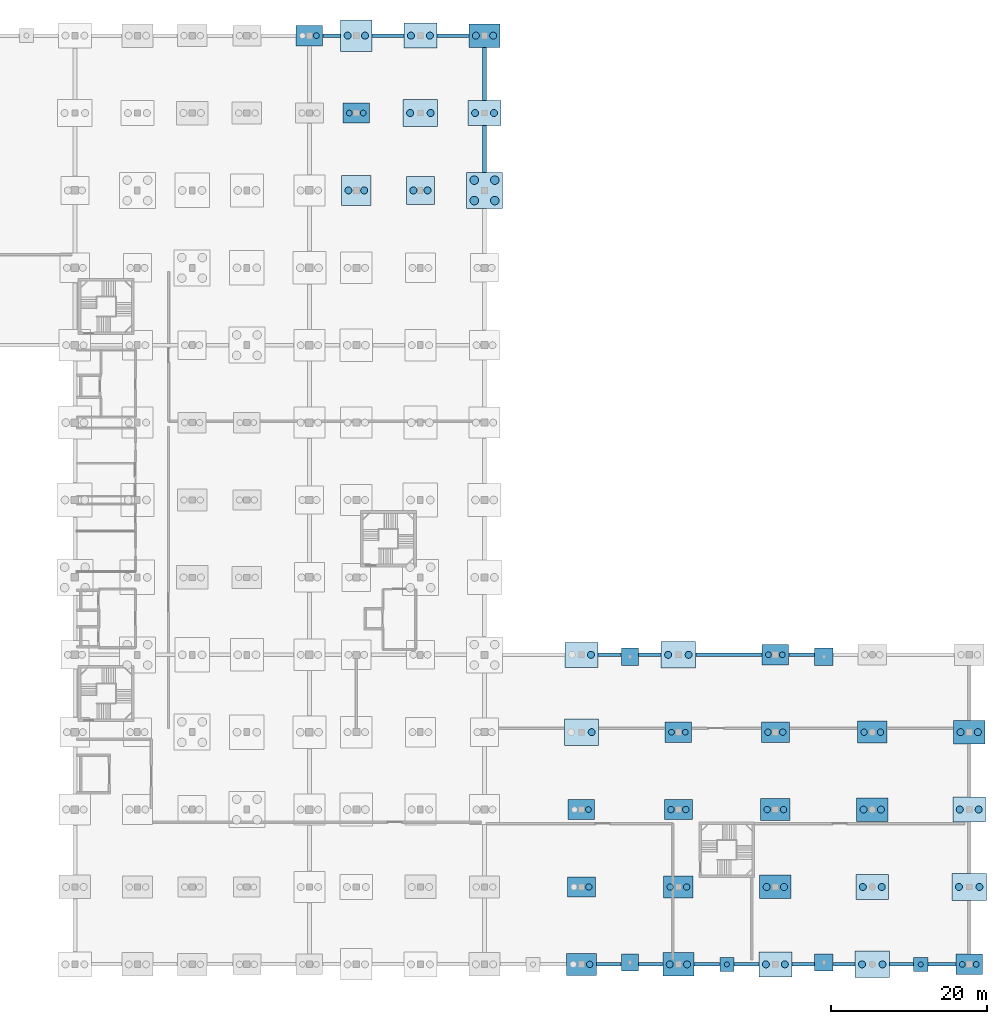
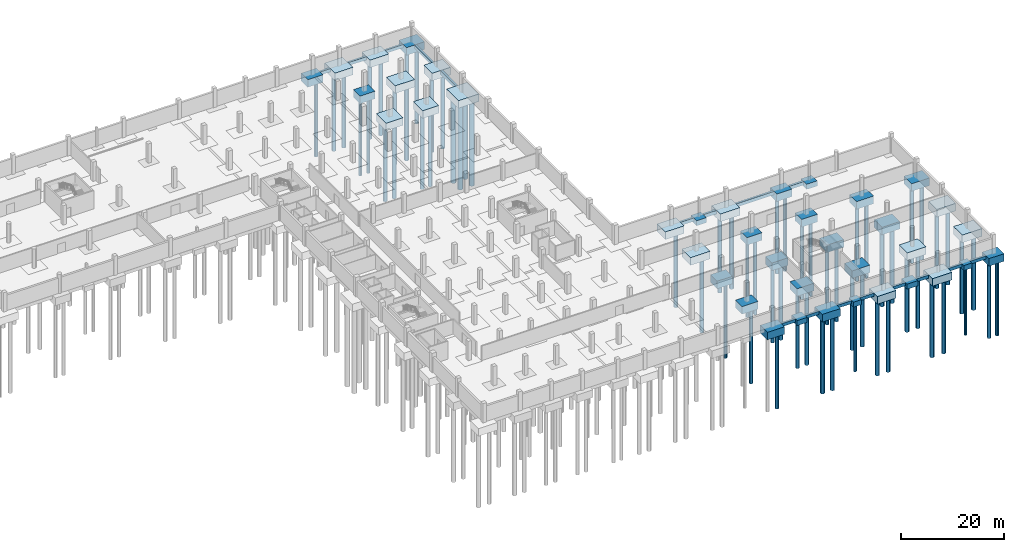
# One storey, part 5 of 30: 64 piles, 56 footings.
"""IFC4 building model written with IfcOpenShell, lengths in metres."""

from ifc_helpers import new_model, si_unit, direction, frame, origin, origin_2d, place, context, subcontext, project, spatial, rectangle, circle, extrude, material, layer, layer_set, material_profile, profile_set, type_object, element, save


model = new_model("IFC4")

# Units and contexts
model_context = context("Model", 3, precision=1e-05, world=origin(), true_north=direction((0.0, 1.0)))
body_context = subcontext(model_context, "Body", "Model", "MODEL_VIEW")
ifc_project = project(units=[si_unit("LENGTHUNIT", "METRE"), si_unit("AREAUNIT", "SQUARE_METRE"), si_unit("VOLUMEUNIT", "CUBIC_METRE"), si_unit("PLANEANGLEUNIT", "RADIAN"), si_unit("MASSUNIT", "GRAM", prefix="KILO")], contexts=[model_context])

# Site, building, storey
site_placement = place(None, origin())
site = spatial("IfcSite", under=ifc_project, at=site_placement, CompositionType="ELEMENT")
building_placement = place(site_placement, origin())
building = spatial("IfcBuilding", under=site, at=building_placement, Name="Sillaruma Civic Art Gallery", CompositionType="ELEMENT")
storey_placement = place(building_placement, frame((0.0, 0.0, -9.179931640625)))
storey = spatial("IfcBuildingStorey", under=building, at=storey_placement, Name="B02", CompositionType="ELEMENT", Elevation=-9.179931640625)

# Footings
ifc_material = material(Name="Concrete H35 (35 MPa)", Category="concrete")
ifc_material_profile_1 = material_profile(ifc_material, rectangle(XDim=0.449951171875, YDim=0.75, at=origin_2d()), Name="RCB450x750")
ifc_profile_set_1 = profile_set([ifc_material_profile_1], Name="Concrete H35 (35 MPa)")
footing_type_1 = type_object("IfcFootingType", Name="FTG-FB-450x750", PredefinedType="FOOTING_BEAM", material=ifc_profile_set_1)
footing_1_placement = place(storey_placement, frame((128.719970703125, 0.0, -0.375), z_axis=(1.0, 0.0, 0.0), x_axis=(0.0, 1.0, 0.0)))
element("IfcFooting", 1, at=footing_1_placement, inside=storey, type_object=footing_type_1, Name="Foundation Tie Beam FB-02 (1:P-Q:A)", PredefinedType="FOOTING_BEAM", context=body_context, shape_type="SweptSolid", body=[
    extrude(rectangle(XDim=0.449951171875, YDim=0.75, at=origin_2d()), origin(), (0.0, 0.0, 1.0), 3.159912109375),
])
footing_2_placement = place(storey_placement, frame((134.1201171875, 0.0, -0.375), z_axis=(1.0, 0.0, 0.0), x_axis=(0.0, 1.0, 0.0)))
element("IfcFooting", 2, at=footing_2_placement, inside=storey, type_object=footing_type_1, Name="Foundation Tie Beam FB-02 (1:P-Q:B)", PredefinedType="FOOTING_BEAM", context=body_context, shape_type="SweptSolid", body=[
    extrude(rectangle(XDim=0.449951171875, YDim=0.75, at=origin_2d()), origin(), (0.0, 0.0, 1.0), 3.059814453125),
])
footing_3_placement = place(storey_placement, frame((141.219970703125, 0.0, -0.375), z_axis=(1.0, 0.0, 0.0), x_axis=(0.0, 1.0, 0.0)))
element("IfcFooting", 3, at=footing_3_placement, inside=storey, type_object=footing_type_1, Name="Foundation Tie Beam FB-02 (1:Q-R:A)", PredefinedType="FOOTING_BEAM", context=body_context, shape_type="SweptSolid", body=[
    extrude(rectangle(XDim=0.449951171875, YDim=0.75, at=origin_2d()), origin(), (0.0, 0.0, 1.0), 3.260009765625),
])
footing_4_placement = place(storey_placement, frame((146.320068359375, 0.0, -0.375), z_axis=(1.0, 0.0, 0.0), x_axis=(0.0, 1.0, 0.0)))
element("IfcFooting", 4, at=footing_4_placement, inside=storey, type_object=footing_type_1, Name="Foundation Tie Beam FB-02 (1:Q-R:B)", PredefinedType="FOOTING_BEAM", context=body_context, shape_type="SweptSolid", body=[
    extrude(rectangle(XDim=0.449951171875, YDim=0.75, at=origin_2d()), origin(), (0.0, 0.0, 1.0), 3.159912109375),
])
footing_5_placement = place(storey_placement, frame((153.719970703125, 0.0, -0.375), z_axis=(1.0, 0.0, 0.0), x_axis=(0.0, 1.0, 0.0)))
element("IfcFooting", 5, at=footing_5_placement, inside=storey, type_object=footing_type_1, Name="Foundation Tie Beam FB-02 (1:R-S:A)", PredefinedType="FOOTING_BEAM", context=body_context, shape_type="SweptSolid", body=[
    extrude(rectangle(XDim=0.449951171875, YDim=0.75, at=origin_2d()), origin(), (0.0, 0.0, 1.0), 2.860107421875),
])
footing_6_placement = place(storey_placement, frame((159.02001953125, 0.0, -0.375), z_axis=(1.0, 0.0, 0.0), x_axis=(0.0, 1.0, 0.0)))
element("IfcFooting", 6, at=footing_6_placement, inside=storey, type_object=footing_type_1, Name="Foundation Tie Beam FB-02 (1:R-S:B)", PredefinedType="FOOTING_BEAM", context=body_context, shape_type="SweptSolid", body=[
    extrude(rectangle(XDim=0.449951171875, YDim=0.75, at=origin_2d()), origin(), (0.0, 0.0, 1.0), 2.760009765625),
])
footing_7_placement = place(storey_placement, frame((166.219970703125, 0.0, -0.375), z_axis=(1.0, 0.0, 0.0), x_axis=(0.0, 1.0, 0.0)))
element("IfcFooting", 7, at=footing_7_placement, inside=storey, type_object=footing_type_1, Name="Foundation Tie Beam FB-02 (1:S-T:A)", PredefinedType="FOOTING_BEAM", context=body_context, shape_type="SweptSolid", body=[
    extrude(rectangle(XDim=0.449951171875, YDim=0.75, at=origin_2d()), origin(), (0.0, 0.0, 1.0), 3.06005859375),
])
footing_8_placement = place(storey_placement, frame((171.1201171875, 0.0, -0.375), z_axis=(1.0, 0.0, 0.0), x_axis=(0.0, 1.0, 0.0)))
element("IfcFooting", 8, at=footing_8_placement, inside=storey, type_object=footing_type_1, Name="Foundation Tie Beam FB-02 (1:S-T:B)", PredefinedType="FOOTING_BEAM", context=body_context, shape_type="SweptSolid", body=[
    extrude(rectangle(XDim=0.449951171875, YDim=0.75, at=origin_2d()), origin(), (0.0, 0.0, 1.0), 3.559814453125),
])
footing_9_placement = place(storey_placement, frame((93.719970703125, 118.800048828125, -0.375), z_axis=(1.0, 0.0, 0.0), x_axis=(0.0, 1.0, 0.0)))
element("IfcFooting", 9, at=footing_9_placement, inside=storey, type_object=footing_type_1, Name="Foundation Tie Beam FB-02 (13:K-L:1)", PredefinedType="FOOTING_BEAM", context=body_context, shape_type="SweptSolid", body=[
    extrude(rectangle(XDim=0.449951171875, YDim=0.75, at=origin_2d()), origin(), (0.0, 0.0, 1.0), 2.260009765625),
])
footing_10_placement = place(storey_placement, frame((100.02001953125, 118.800048828125, -0.375), z_axis=(1.0, 0.0, 0.0), x_axis=(0.0, 1.0, 0.0)))
element("IfcFooting", 10, at=footing_10_placement, inside=storey, type_object=footing_type_1, Name="Foundation Tie Beam FB-02 (13:L-M:1)", PredefinedType="FOOTING_BEAM", context=body_context, shape_type="SweptSolid", body=[
    extrude(rectangle(XDim=0.449951171875, YDim=0.75, at=origin_2d()), origin(), (0.0, 0.0, 1.0), 4.06005859375),
])
footing_11_placement = place(storey_placement, frame((108.320068359375, 118.800048828125, -0.375), z_axis=(1.0, 0.0, 0.0), x_axis=(0.0, 1.0, 0.0)))
element("IfcFooting", 11, at=footing_11_placement, inside=storey, type_object=footing_type_1, Name="Foundation Tie Beam FB-02 (13:M-N:1)", PredefinedType="FOOTING_BEAM", context=body_context, shape_type="SweptSolid", body=[
    extrude(rectangle(XDim=0.449951171875, YDim=0.75, at=origin_2d()), origin(), (0.0, 0.0, 1.0), 4.059814453125),
])
ifc_material_profile_2 = material_profile(ifc_material, rectangle(XDim=0.5, YDim=0.800048828125, at=origin_2d()), Name="RCB500x800")
ifc_profile_set_2 = profile_set([ifc_material_profile_2], Name="Concrete H35 (35 MPa)")
footing_type_2 = type_object("IfcFootingType", Name="FTG-FB-500x800", PredefinedType="FOOTING_BEAM", material=ifc_profile_set_2)
footing_12_placement = place(storey_placement, frame((128.919921875, 39.60009765625, -0.400146484375), z_axis=(1.0, 0.0, 0.0), x_axis=(0.0, 1.0, 0.0)))
element("IfcFooting", 12, at=footing_12_placement, inside=storey, type_object=footing_type_2, Name="Foundation Tie Beam FB-01 (5:P-Q:A)", PredefinedType="FOOTING_BEAM", context=body_context, shape_type="SweptSolid", body=[
    extrude(rectangle(XDim=0.5, YDim=0.800048828125, at=origin_2d()), origin(), (0.0, 0.0, 1.0), 2.9599609375),
])
footing_13_placement = place(storey_placement, frame((134.1201171875, 39.60009765625, -0.400146484375), z_axis=(1.0, 0.0, 0.0), x_axis=(0.0, 1.0, 0.0)))
element("IfcFooting", 13, at=footing_13_placement, inside=storey, type_object=footing_type_2, Name="Foundation Tie Beam FB-01 (5:P-Q:B)", PredefinedType="FOOTING_BEAM", context=body_context, shape_type="SweptSolid", body=[
    extrude(rectangle(XDim=0.5, YDim=0.800048828125, at=origin_2d()), origin(), (0.0, 0.0, 1.0), 2.85986328125),
])
footing_14_placement = place(storey_placement, frame((141.419921875, 39.60009765625, -0.400146484375), z_axis=(1.0, 0.0, 0.0), x_axis=(0.0, 1.0, 0.0)))
element("IfcFooting", 14, at=footing_14_placement, inside=storey, type_object=footing_type_2, Name="Foundation Tie Beam FB-01 (5:Q-R:1)", PredefinedType="FOOTING_BEAM", context=body_context, shape_type="SweptSolid", body=[
    extrude(rectangle(XDim=0.5, YDim=0.800048828125, at=origin_2d()), origin(), (0.0, 0.0, 1.0), 8.4599609375),
])
footing_15_placement = place(storey_placement, frame((153.320068359375, 39.60009765625, -0.400146484375), z_axis=(1.0, 0.0, 0.0), x_axis=(0.0, 1.0, 0.0)))
element("IfcFooting", 15, at=footing_15_placement, inside=storey, type_object=footing_type_2, Name="Foundation Tie Beam FB-01 (5:R-S:A)", PredefinedType="FOOTING_BEAM", context=body_context, shape_type="SweptSolid", body=[
    extrude(rectangle(XDim=0.5, YDim=0.800048828125, at=origin_2d()), origin(), (0.0, 0.0, 1.0), 3.260009765625),
])
footing_16_placement = place(storey_placement, frame((114.39990234375, 101.320068359375, -0.400146484375), z_axis=(0.0, 1.0, 0.0), x_axis=(-1.0, 0.0, 0.0)))
element("IfcFooting", 16, at=footing_16_placement, inside=storey, type_object=footing_type_2, Name="Foundation Tie Beam FB-01 (N:11-12)", PredefinedType="FOOTING_BEAM", context=body_context, shape_type="SweptSolid", body=[
    extrude(rectangle(XDim=0.5, YDim=0.800048828125, at=origin_2d()), origin(), (0.0, 0.0, 1.0), 5.9599609375),
])
footing_17_placement = place(storey_placement, frame((114.39990234375, 110.52001953125, -0.400146484375), z_axis=(0.0, 1.0, 0.0), x_axis=(-1.0, 0.0, 0.0)))
element("IfcFooting", 17, at=footing_17_placement, inside=storey, type_object=footing_type_2, Name="Foundation Tie Beam FB-01 (N:12-13)", PredefinedType="FOOTING_BEAM", context=body_context, shape_type="SweptSolid", body=[
    extrude(rectangle(XDim=0.5, YDim=0.800048828125, at=origin_2d()), origin(), (0.0, 0.0, 1.0), 6.760009765625),
])
ifc_layer_1 = layer(ifc_material, 1.199951171875, Name="Concrete H35 (35 MPa)")
ifc_layer_set_1 = layer_set([ifc_layer_1], Name="Concrete H35 (35 MPa)")
footing_type_3 = type_object("IfcFootingType", Name="FTG-PAD-18x18", PredefinedType="PAD_FOOTING", material=ifc_layer_set_1)
for number, where, z_axis, x_axis, name in (
    (18, (145.39990234375, 0.0, -1.2001953125), (0.0, 0.0, 1.0), (1.0, 0.0, 0.0), "Shoring Pile Cap PF-03 (05)"),
    (19, (170.199951171875, 0.0, -1.2001953125), (0.0, 0.0, 1.0), (1.0, 0.0, 0.0), "Shoring Pile Cap PF-03 (06)"),
):
    element("IfcFooting", number, at=place(storey_placement, frame(where, z_axis=z_axis, x_axis=x_axis)), inside=storey, type_object=footing_type_3, Name=name, PredefinedType="PAD_FOOTING", context=body_context, shape_type="SweptSolid", body=[
        extrude(rectangle(XDim=1.800048828125, YDim=1.800048828125, at=origin_2d()), origin(), (0.0, 0.0, 1.0), 1.199951171875),
    ])
ifc_layer_2 = layer(ifc_material, 1.199951171875, Name="Concrete H35 (35 MPa)")
ifc_layer_set_2 = layer_set([ifc_layer_2], Name="Concrete H35 (35 MPa)")
footing_type_4 = type_object("IfcFootingType", Name="FTG-PAD-22x22", PredefinedType="PAD_FOOTING", material=ifc_layer_set_2)
for number, where, z_axis, x_axis, name in (
    (20, (133.0, 0.25, -1.2001953125), (0.0, 0.0, 1.0), (1.0, 0.0, 0.0), "Pad Footing PF-01 (PIL-E1)"),
    (21, (133.0, 39.35009765625, -1.2001953125), (0.0, 0.0, 1.0), (1.0, 0.0, 0.0), "Pad Footing PF-01 (PIL-E3)"),
):
    element("IfcFooting", number, at=place(storey_placement, frame(where, z_axis=z_axis, x_axis=x_axis)), inside=storey, type_object=footing_type_4, Name=name, PredefinedType="PAD_FOOTING", context=body_context, shape_type="SweptSolid", body=[
        extrude(rectangle(XDim=2.199951171875, YDim=2.199951171875, at=origin_2d()), origin(), (0.0, 0.0, 1.0), 1.199951171875),
    ])
ifc_layer_3 = layer(ifc_material, 1.199951171875, Name="Concrete H35 (35 MPa)")
ifc_layer_set_3 = layer_set([ifc_layer_3], Name="Concrete H35 (35 MPa)")
footing_type_5 = type_object("IfcFootingType", Name="FTG-PAD-24x22", PredefinedType="PAD_FOOTING", material=ifc_layer_set_3)
for number, where, z_axis, x_axis, name in (
    (22, (157.800048828125, 0.25, -1.2001953125), (0.0, 0.0, 1.0), (1.0, 0.0, 0.0), "Pad Footing PF-02 (PIL-E2)"),
    (23, (157.800048828125, 39.35009765625, -1.2001953125), (0.0, 0.0, 1.0), (1.0, 0.0, 0.0), "Pad Footing PF-02 (PIL-E4)"),
):
    element("IfcFooting", number, at=place(storey_placement, frame(where, z_axis=z_axis, x_axis=x_axis)), inside=storey, type_object=footing_type_5, Name=name, PredefinedType="PAD_FOOTING", context=body_context, shape_type="SweptSolid", body=[
        extrude(rectangle(XDim=2.39990234375, YDim=2.199951171875, at=origin_2d()), origin(), (0.0, 0.0, 1.0), 1.199951171875),
    ])
ifc_layer_4 = layer(ifc_material, 1.800048828125, Name="Concrete H35 (35 MPa)")
ifc_layer_set_4 = layer_set([ifc_layer_4], Name="Concrete H35 (35 MPa)")
footing_type_6 = type_object("IfcFootingType", Name="FTG-PC-34x26", PredefinedType="PILE_CAP", material=ifc_layer_set_4)
for number, where, z_axis, x_axis, name in (
    (24, (92.0, 118.800048828125, -1.80029296875), (0.0, 0.0, 1.0), (1.0, 0.0, 0.0), "Pile Cap PC-12 (K13)"),
    (25, (98.0, 108.89990234375, -1.80029296875), (0.0, 0.0, 1.0), (1.0, 0.0, 0.0), "Pile Cap PC-12 (L12)"),
    (26, (126.800048828125, 19.800048828125, -1.80029296875), (0.0, 0.0, 1.0), (1.0, 0.0, 0.0), "Pile Cap PC-12 (P3)"),
    (27, (139.199951171875, 29.699951171875, -1.80029296875), (0.0, 0.0, 1.0), (1.0, 0.0, 0.0), "Pile Cap PC-12 (Q4)"),
    (28, (151.60009765625, 39.60009765625, -1.80029296875), (0.0, 0.0, 1.0), (1.0, 0.0, 0.0), "Pile Cap PC-12 (R5)"),
    (29, (176.39990234375, 0.0, -1.80029296875), (0.0, 0.0, 1.0), (1.0, 0.0, 0.0), "Pile Cap PC-12 (T1)"),
):
    element("IfcFooting", number, at=place(storey_placement, frame(where, z_axis=z_axis, x_axis=x_axis)), inside=storey, type_object=footing_type_6, Name=name, PredefinedType="PILE_CAP", context=body_context, shape_type="SweptSolid", body=[
        extrude(rectangle(XDim=3.39990234375, YDim=2.60009765625, at=origin_2d()), origin(), (0.0, 0.0, 1.0), 1.800048828125),
    ])
ifc_layer_5 = layer(ifc_material, 1.800048828125, Name="Concrete H35 (35 MPa)")
ifc_layer_set_5 = layer_set([ifc_layer_5], Name="Concrete H35 (35 MPa)")
footing_type_7 = type_object("IfcFootingType", Name="FTG-PC-36x26", PredefinedType="PILE_CAP", material=ifc_layer_set_5)
for number, where, z_axis, x_axis, name in (
    (30, (126.800048828125, 9.89990234375, -1.80029296875), (0.0, 0.0, 1.0), (1.0, 0.0, 0.0), "Pile Cap PC-11 (P2)"),
    (31, (139.199951171875, 19.800048828125, -1.80029296875), (0.0, 0.0, 1.0), (1.0, 0.0, 0.0), "Pile Cap PC-11 (Q3)"),
    (32, (151.60009765625, 29.699951171875, -1.80029296875), (0.0, 0.0, 1.0), (1.0, 0.0, 0.0), "Pile Cap PC-11 (R4)"),
):
    element("IfcFooting", number, at=place(storey_placement, frame(where, z_axis=z_axis, x_axis=x_axis)), inside=storey, type_object=footing_type_7, Name=name, PredefinedType="PILE_CAP", context=body_context, shape_type="SweptSolid", body=[
        extrude(rectangle(XDim=3.60009765625, YDim=2.60009765625, at=origin_2d()), origin(), (0.0, 0.0, 1.0), 1.800048828125),
    ])
ifc_layer_6 = layer(ifc_material, 1.800048828125, Name="Concrete H35 (35 MPa)")
ifc_layer_set_6 = layer_set([ifc_layer_6], Name="Concrete H35 (35 MPa)")
footing_type_8 = type_object("IfcFootingType", Name="FTG-PC-36x36", PredefinedType="PILE_CAP", material=ifc_layer_set_6)
footing_18_placement = place(storey_placement, frame((106.199951171875, 99.0, -1.80029296875), z_axis=(0.0, 0.0, 1.0), x_axis=(1.0, 0.0, 0.0)))
element("IfcFooting", 33, at=footing_18_placement, inside=storey, type_object=footing_type_8, Name="Pile Cap PC-06 (M11)", PredefinedType="PILE_CAP", context=body_context, shape_type="SweptSolid", body=[
    extrude(rectangle(XDim=3.60009765625, YDim=3.60009765625, at=origin_2d()), origin(), (0.0, 0.0, 1.0), 1.800048828125),
])
ifc_layer_7 = layer(ifc_material, 1.800048828125, Name="Concrete H35 (35 MPa)")
ifc_layer_set_7 = layer_set([ifc_layer_7], Name="Concrete H35 (35 MPa)")
footing_type_9 = type_object("IfcFootingType", Name="FTG-PC-38x28", PredefinedType="PILE_CAP", material=ifc_layer_set_7)
for number, where, z_axis, x_axis, name in (
    (34, (126.800048828125, 0.0, -1.80029296875), (0.0, 0.0, 1.0), (1.0, 0.0, 0.0), "Pile Cap PC-10 (P1)"),
    (35, (139.199951171875, 9.89990234375, -1.80029296875), (0.0, 0.0, 1.0), (1.0, 0.0, 0.0), "Pile Cap PC-10 (Q2)"),
    (36, (151.60009765625, 19.800048828125, -1.80029296875), (0.0, 0.0, 1.0), (1.0, 0.0, 0.0), "Pile Cap PC-10 (R3)"),
    (37, (164.0, 29.699951171875, -1.80029296875), (0.0, 0.0, 1.0), (1.0, 0.0, 0.0), "Pile Cap PC-10 (S4)"),
):
    element("IfcFooting", number, at=place(storey_placement, frame(where, z_axis=z_axis, x_axis=x_axis)), inside=storey, type_object=footing_type_9, Name=name, PredefinedType="PILE_CAP", context=body_context, shape_type="SweptSolid", body=[
        extrude(rectangle(XDim=3.800048828125, YDim=2.800048828125, at=origin_2d()), origin(), (0.0, 0.0, 1.0), 1.800048828125),
    ])
ifc_layer_8 = layer(ifc_material, 1.800048828125, Name="Concrete H35 (35 MPa)")
ifc_layer_set_8 = layer_set([ifc_layer_8], Name="Concrete H35 (35 MPa)")
footing_type_10 = type_object("IfcFootingType", Name="FTG-PC-38x38", PredefinedType="PILE_CAP", material=ifc_layer_set_8)
footing_19_placement = place(storey_placement, frame((98.0, 99.0, -1.80029296875), z_axis=(0.0, 0.0, 1.0), x_axis=(1.0, 0.0, 0.0)))
element("IfcFooting", 38, at=footing_19_placement, inside=storey, type_object=footing_type_10, Name="Pile Cap PC-05 (L11)", PredefinedType="PILE_CAP", context=body_context, shape_type="SweptSolid", body=[
    extrude(rectangle(XDim=3.800048828125, YDim=3.800048828125, at=origin_2d()), origin(), (0.0, 0.0, 1.0), 1.800048828125),
])
ifc_layer_9 = layer(ifc_material, 1.800048828125, Name="Concrete H35 (35 MPa)")
ifc_layer_set_9 = layer_set([ifc_layer_9], Name="Concrete H35 (35 MPa)")
footing_type_11 = type_object("IfcFootingType", Name="FTG-PC-40x30", PredefinedType="PILE_CAP", material=ifc_layer_set_9)
for number, where, z_axis, x_axis, name in (
    (39, (114.39990234375, 118.800048828125, -1.80029296875), (0.0, 0.0, 1.0), (1.0, 0.0, 0.0), "Pile Cap PC-09 (N13)"),
    (40, (139.199951171875, 0.0, -1.80029296875), (0.0, 0.0, 1.0), (1.0, 0.0, 0.0), "Pile Cap PC-09 (Q1)"),
    (41, (151.60009765625, 9.89990234375, -1.80029296875), (0.0, 0.0, 1.0), (1.0, 0.0, 0.0), "Pile Cap PC-09 (R2)"),
    (42, (164.0, 19.800048828125, -1.80029296875), (0.0, 0.0, 1.0), (1.0, 0.0, 0.0), "Pile Cap PC-09 (S3)"),
    (43, (176.39990234375, 29.699951171875, -1.80029296875), (0.0, 0.0, 1.0), (1.0, 0.0, 0.0), "Pile Cap PC-09 (T4)"),
):
    element("IfcFooting", number, at=place(storey_placement, frame(where, z_axis=z_axis, x_axis=x_axis)), inside=storey, type_object=footing_type_11, Name=name, PredefinedType="PILE_CAP", context=body_context, shape_type="SweptSolid", body=[
        extrude(rectangle(XDim=4.0, YDim=3.0, at=origin_2d()), origin(), (0.0, 0.0, 1.0), 1.800048828125),
    ])
ifc_layer_10 = layer(ifc_material, 1.800048828125, Name="Concrete H35 (35 MPa)")
ifc_layer_set_10 = layer_set([ifc_layer_10], Name="Concrete H35 (35 MPa)")
footing_type_12 = type_object("IfcFootingType", Name="FTG-PC-40x40", PredefinedType="PILE_CAP", material=ifc_layer_set_10)
footing_20_placement = place(storey_placement, frame((98.0, 118.800048828125, -1.80029296875), z_axis=(0.0, 0.0, 1.0), x_axis=(1.0, 0.0, 0.0)))
element("IfcFooting", 44, at=footing_20_placement, inside=storey, type_object=footing_type_12, Name="Pile Cap PC-04 (L13)", PredefinedType="PILE_CAP", context=body_context, shape_type="SweptSolid", body=[
    extrude(rectangle(XDim=4.0, YDim=4.0, at=origin_2d()), origin(), (0.0, 0.0, 1.0), 1.800048828125),
])
ifc_layer_11 = layer(ifc_material, 1.800048828125, Name="Concrete H35 (35 MPa)")
ifc_layer_set_11 = layer_set([ifc_layer_11], Name="Concrete H35 (35 MPa)")
footing_type_13 = type_object("IfcFootingType", Name="FTG-PC-42x32", PredefinedType="PILE_CAP", material=ifc_layer_set_11)
for number, where, z_axis, x_axis, name in (
    (45, (106.199951171875, 118.800048828125, -1.80029296875), (0.0, 0.0, 1.0), (1.0, 0.0, 0.0), "Pile Cap PC-08 (M13)"),
    (46, (114.39990234375, 108.89990234375, -1.80029296875), (0.0, 0.0, 1.0), (1.0, 0.0, 0.0), "Pile Cap PC-08 (N12)"),
    (47, (126.800048828125, 39.60009765625, -1.80029296875), (0.0, 0.0, 1.0), (1.0, 0.0, 0.0), "Pile Cap PC-08 (P5)"),
    (48, (151.60009765625, 0.0, -1.80029296875), (0.0, 0.0, 1.0), (1.0, 0.0, 0.0), "Pile Cap PC-08 (R1)"),
    (49, (164.0, 9.89990234375, -1.80029296875), (0.0, 0.0, 1.0), (1.0, 0.0, 0.0), "Pile Cap PC-08 (S2)"),
    (50, (176.39990234375, 19.800048828125, -1.80029296875), (0.0, 0.0, 1.0), (1.0, 0.0, 0.0), "Pile Cap PC-08 (T3)"),
):
    element("IfcFooting", number, at=place(storey_placement, frame(where, z_axis=z_axis, x_axis=x_axis)), inside=storey, type_object=footing_type_13, Name=name, PredefinedType="PILE_CAP", context=body_context, shape_type="SweptSolid", body=[
        extrude(rectangle(XDim=4.199951171875, YDim=3.199951171875, at=origin_2d()), origin(), (0.0, 0.0, 1.0), 1.800048828125),
    ])
ifc_layer_12 = layer(ifc_material, 1.800048828125, Name="Concrete H35 (35 MPa)")
ifc_layer_set_12 = layer_set([ifc_layer_12], Name="Concrete H35 (35 MPa)")
footing_type_14 = type_object("IfcFootingType", Name="FTG-PC-44x34", PredefinedType="PILE_CAP", material=ifc_layer_set_12)
for number, where, z_axis, x_axis, name in (
    (51, (106.199951171875, 108.89990234375, -1.80029296875), (0.0, 0.0, 1.0), (1.0, 0.0, 0.0), "Pile Cap PC-07 (M12)"),
    (52, (126.800048828125, 29.699951171875, -1.80029296875), (0.0, 0.0, 1.0), (1.0, 0.0, 0.0), "Pile Cap PC-07 (P4)"),
    (53, (139.199951171875, 39.60009765625, -1.80029296875), (0.0, 0.0, 1.0), (1.0, 0.0, 0.0), "Pile Cap PC-07 (Q5)"),
    (54, (164.0, 0.0, -1.80029296875), (0.0, 0.0, 1.0), (1.0, 0.0, 0.0), "Pile Cap PC-07 (S1)"),
    (55, (176.39990234375, 9.89990234375, -1.80029296875), (0.0, 0.0, 1.0), (1.0, 0.0, 0.0), "Pile Cap PC-07 (T2)"),
):
    element("IfcFooting", number, at=place(storey_placement, frame(where, z_axis=z_axis, x_axis=x_axis)), inside=storey, type_object=footing_type_14, Name=name, PredefinedType="PILE_CAP", context=body_context, shape_type="SweptSolid", body=[
        extrude(rectangle(XDim=4.39990234375, YDim=3.39990234375, at=origin_2d()), origin(), (0.0, 0.0, 1.0), 1.800048828125),
    ])
ifc_layer_13 = layer(ifc_material, 1.800048828125, Name="Concrete H35 (35 MPa)")
ifc_layer_set_13 = layer_set([ifc_layer_13], Name="Concrete H35 (35 MPa)")
footing_type_15 = type_object("IfcFootingType", Name="FTG-PC-46x46", PredefinedType="PILE_CAP", material=ifc_layer_set_13)
footing_21_placement = place(storey_placement, frame((114.39990234375, 99.0, -1.80029296875), z_axis=(0.0, 0.0, 1.0), x_axis=(1.0, 0.0, 0.0)))
element("IfcFooting", 56, at=footing_21_placement, inside=storey, type_object=footing_type_15, Name="Pile Cap PC-01 (N11)", PredefinedType="PILE_CAP", context=body_context, shape_type="SweptSolid", body=[
    extrude(rectangle(XDim=4.60009765625, YDim=4.60009765625, at=origin_2d()), origin(), (0.0, 0.0, 1.0), 1.800048828125),
])

# Piles
ifc_material_profile_3 = material_profile(ifc_material, circle(Radius=0.550048828125, at=origin_2d()), Name="PILE1100")
ifc_profile_set_3 = profile_set([ifc_material_profile_3], Name="Concrete H35 (35 MPa)")
pile_type_1 = type_object("IfcPileType", Name="PIL-BORED-PILE1100", PredefinedType="BORED", material=ifc_profile_set_3)
for number, where, z_axis, x_axis, name in (
    (57, (113.090087890625, 97.68994140625, -1.800048828125), (0.0, 0.0, -1.0), (1.0, 0.0, 0.0), "Bored Pile PL-B1100 (N11-1)"),
    (58, (115.7099609375, 97.68994140625, -1.800048828125), (0.0, 0.0, -1.0), (1.0, 0.0, 0.0), "Bored Pile PL-B1100 (N11-2)"),
    (59, (113.090087890625, 100.31005859375, -1.800048828125), (0.0, 0.0, -1.0), (1.0, 0.0, 0.0), "Bored Pile PL-B1100 (N11-3)"),
    (60, (115.7099609375, 100.31005859375, -1.800048828125), (0.0, 0.0, -1.0), (1.0, 0.0, 0.0), "Bored Pile PL-B1100 (N11-4)"),
):
    element("IfcPile", number, at=place(storey_placement, frame(where, z_axis=z_axis, x_axis=x_axis)), inside=storey, type_object=pile_type_1, Name=name, PredefinedType="BORED", context=body_context, shape_type="SweptSolid", body=[
        extrude(circle(Radius=0.550048828125, at=origin_2d()), origin(), (0.0, 0.0, 1.0), 20.0),
    ])
ifc_material_profile_4 = material_profile(ifc_material, circle(Radius=0.3701171875, at=origin_2d()), Name="PILE740")
ifc_profile_set_4 = profile_set([ifc_material_profile_4], Name="Concrete H35 (35 MPa)")
pile_type_2 = type_object("IfcPileType", Name="PIL-BORED-PILE740", PredefinedType="BORED", material=ifc_profile_set_4)
for number, where, z_axis, x_axis, name in (
    (61, (92.889892578125, 118.800048828125, -1.800048828125), (0.0, 0.0, -1.0), (1.0, 0.0, 0.0), "Bored Pile PL-B740 (K13-2)"),
    (62, (97.110107421875, 108.89990234375, -1.800048828125), (0.0, 0.0, -1.0), (1.0, 0.0, 0.0), "Bored Pile PL-B740 (L12-1)"),
    (63, (98.889892578125, 108.89990234375, -1.800048828125), (0.0, 0.0, -1.0), (1.0, 0.0, 0.0), "Bored Pile PL-B740 (L12-2)"),
    (64, (127.68994140625, 19.800048828125, -1.800048828125), (0.0, 0.0, -1.0), (1.0, 0.0, 0.0), "Bored Pile PL-B740 (P3-2)"),
    (65, (138.31005859375, 29.699951171875, -1.800048828125), (0.0, 0.0, -1.0), (1.0, 0.0, 0.0), "Bored Pile PL-B740 (Q4-1)"),
    (66, (140.090087890625, 29.699951171875, -1.800048828125), (0.0, 0.0, -1.0), (1.0, 0.0, 0.0), "Bored Pile PL-B740 (Q4-2)"),
    (67, (150.7099609375, 39.60009765625, -1.800048828125), (0.0, 0.0, -1.0), (1.0, 0.0, 0.0), "Bored Pile PL-B740 (R5-1)"),
    (68, (152.489990234375, 39.60009765625, -1.800048828125), (0.0, 0.0, -1.0), (1.0, 0.0, 0.0), "Bored Pile PL-B740 (R5-2)"),
    (69, (175.510009765625, 0.0, -1.800048828125), (0.0, 0.0, -1.0), (1.0, 0.0, 0.0), "Bored Pile PL-B740 (T1-1)"),
    (70, (177.2900390625, 0.0, -1.800048828125), (0.0, 0.0, -1.0), (1.0, 0.0, 0.0), "Bored Pile PL-B740 (T1-2)"),
):
    element("IfcPile", number, at=place(storey_placement, frame(where, z_axis=z_axis, x_axis=x_axis)), inside=storey, type_object=pile_type_2, Name=name, PredefinedType="BORED", context=body_context, shape_type="SweptSolid", body=[
        extrude(circle(Radius=0.3701171875, at=origin_2d()), origin(), (0.0, 0.0, 1.0), 18.0),
    ])
ifc_material_profile_5 = material_profile(ifc_material, circle(Radius=0.409912109375, at=origin_2d()), Name="PILE820")
ifc_profile_set_5 = profile_set([ifc_material_profile_5], Name="Concrete H35 (35 MPa)")
pile_type_3 = type_object("IfcPileType", Name="PIL-BORED-PILE820", PredefinedType="BORED", material=ifc_profile_set_5)
for number, where, z_axis, x_axis, name in (
    (71, (127.85009765625, 0.0, -1.800048828125), (0.0, 0.0, -1.0), (1.0, 0.0, 0.0), "Bored Pile PL-B820 (P1-2)"),
    (72, (127.75, 9.89990234375, -1.800048828125), (0.0, 0.0, -1.0), (1.0, 0.0, 0.0), "Bored Pile PL-B820 (P2-2)"),
    (73, (138.14990234375, 9.89990234375, -1.800048828125), (0.0, 0.0, -1.0), (1.0, 0.0, 0.0), "Bored Pile PL-B820 (Q2-1)"),
    (74, (140.25, 9.89990234375, -1.800048828125), (0.0, 0.0, -1.0), (1.0, 0.0, 0.0), "Bored Pile PL-B820 (Q2-2)"),
    (75, (138.25, 19.800048828125, -1.800048828125), (0.0, 0.0, -1.0), (1.0, 0.0, 0.0), "Bored Pile PL-B820 (Q3-1)"),
    (76, (140.14990234375, 19.800048828125, -1.800048828125), (0.0, 0.0, -1.0), (1.0, 0.0, 0.0), "Bored Pile PL-B820 (Q3-2)"),
    (77, (150.550048828125, 19.800048828125, -1.800048828125), (0.0, 0.0, -1.0), (1.0, 0.0, 0.0), "Bored Pile PL-B820 (R3-1)"),
    (78, (152.64990234375, 19.800048828125, -1.800048828125), (0.0, 0.0, -1.0), (1.0, 0.0, 0.0), "Bored Pile PL-B820 (R3-2)"),
    (79, (150.64990234375, 29.699951171875, -1.800048828125), (0.0, 0.0, -1.0), (1.0, 0.0, 0.0), "Bored Pile PL-B820 (R4-1)"),
    (80, (152.550048828125, 29.699951171875, -1.800048828125), (0.0, 0.0, -1.0), (1.0, 0.0, 0.0), "Bored Pile PL-B820 (R4-2)"),
    (81, (162.949951171875, 29.699951171875, -1.800048828125), (0.0, 0.0, -1.0), (1.0, 0.0, 0.0), "Bored Pile PL-B820 (S4-1)"),
    (82, (165.050048828125, 29.699951171875, -1.800048828125), (0.0, 0.0, -1.0), (1.0, 0.0, 0.0), "Bored Pile PL-B820 (S4-2)"),
):
    element("IfcPile", number, at=place(storey_placement, frame(where, z_axis=z_axis, x_axis=x_axis)), inside=storey, type_object=pile_type_3, Name=name, PredefinedType="BORED", context=body_context, shape_type="SweptSolid", body=[
        extrude(circle(Radius=0.409912109375, at=origin_2d()), origin(), (0.0, 0.0, 1.0), 18.0),
    ])
ifc_material_profile_6 = material_profile(ifc_material, circle(Radius=0.449951171875, at=origin_2d()), Name="PILE900")
ifc_profile_set_6 = profile_set([ifc_material_profile_6], Name="Concrete H35 (35 MPa)")
pile_type_4 = type_object("IfcPileType", Name="PIL-BORED-PILE900", PredefinedType="BORED", material=ifc_profile_set_6)
for number, where, z_axis, x_axis, name in (
    (83, (96.989990234375, 99.0, -1.800048828125), (0.0, 0.0, -1.0), (1.0, 0.0, 0.0), "Bored Pile PL-B900 (L11-1)"),
    (84, (99.010009765625, 99.0, -1.800048828125), (0.0, 0.0, -1.0), (1.0, 0.0, 0.0), "Bored Pile PL-B900 (L11-2)"),
    (85, (96.889892578125, 118.800048828125, -1.800048828125), (0.0, 0.0, -1.0), (1.0, 0.0, 0.0), "Bored Pile PL-B900 (L13-1)"),
    (86, (99.110107421875, 118.800048828125, -1.800048828125), (0.0, 0.0, -1.0), (1.0, 0.0, 0.0), "Bored Pile PL-B900 (L13-2)"),
    (87, (105.2900390625, 99.0, -1.800048828125), (0.0, 0.0, -1.0), (1.0, 0.0, 0.0), "Bored Pile PL-B900 (M11-1)"),
    (88, (107.110107421875, 99.0, -1.800048828125), (0.0, 0.0, -1.0), (1.0, 0.0, 0.0), "Bored Pile PL-B900 (M11-2)"),
    (89, (104.889892578125, 108.89990234375, -1.800048828125), (0.0, 0.0, -1.0), (1.0, 0.0, 0.0), "Bored Pile PL-B900 (M12-1)"),
    (90, (107.510009765625, 108.89990234375, -1.800048828125), (0.0, 0.0, -1.0), (1.0, 0.0, 0.0), "Bored Pile PL-B900 (M12-2)"),
    (91, (104.989990234375, 118.800048828125, -1.800048828125), (0.0, 0.0, -1.0), (1.0, 0.0, 0.0), "Bored Pile PL-B900 (M13-1)"),
    (92, (107.409912109375, 118.800048828125, -1.800048828125), (0.0, 0.0, -1.0), (1.0, 0.0, 0.0), "Bored Pile PL-B900 (M13-2)"),
    (93, (113.18994140625, 108.89990234375, -1.800048828125), (0.0, 0.0, -1.0), (1.0, 0.0, 0.0), "Bored Pile PL-B900 (N12-1)"),
    (94, (115.610107421875, 108.89990234375, -1.800048828125), (0.0, 0.0, -1.0), (1.0, 0.0, 0.0), "Bored Pile PL-B900 (N12-2)"),
    (95, (113.2900390625, 118.800048828125, -1.800048828125), (0.0, 0.0, -1.0), (1.0, 0.0, 0.0), "Bored Pile PL-B900 (N13-1)"),
    (96, (115.510009765625, 118.800048828125, -1.800048828125), (0.0, 0.0, -1.0), (1.0, 0.0, 0.0), "Bored Pile PL-B900 (N13-2)"),
    (97, (128.110107421875, 29.699951171875, -1.800048828125), (0.0, 0.0, -1.0), (1.0, 0.0, 0.0), "Bored Pile PL-B900 (P4-2)"),
    (98, (128.010009765625, 39.60009765625, -1.800048828125), (0.0, 0.0, -1.0), (1.0, 0.0, 0.0), "Bored Pile PL-B900 (P5-2)"),
    (99, (138.090087890625, 0.0, -1.800048828125), (0.0, 0.0, -1.0), (1.0, 0.0, 0.0), "Bored Pile PL-B900 (Q1-1)"),
    (100, (140.31005859375, 0.0, -1.800048828125), (0.0, 0.0, -1.0), (1.0, 0.0, 0.0), "Bored Pile PL-B900 (Q1-2)"),
    (101, (137.889892578125, 39.60009765625, -1.800048828125), (0.0, 0.0, -1.0), (1.0, 0.0, 0.0), "Bored Pile PL-B900 (Q5-1)"),
    (102, (140.510009765625, 39.60009765625, -1.800048828125), (0.0, 0.0, -1.0), (1.0, 0.0, 0.0), "Bored Pile PL-B900 (Q5-2)"),
    (103, (150.389892578125, 0.0, -1.800048828125), (0.0, 0.0, -1.0), (1.0, 0.0, 0.0), "Bored Pile PL-B900 (R1-1)"),
    (104, (152.81005859375, 0.0, -1.800048828125), (0.0, 0.0, -1.0), (1.0, 0.0, 0.0), "Bored Pile PL-B900 (R1-2)"),
    (105, (150.489990234375, 9.89990234375, -1.800048828125), (0.0, 0.0, -1.0), (1.0, 0.0, 0.0), "Bored Pile PL-B900 (R2-1)"),
    (106, (152.7099609375, 9.89990234375, -1.800048828125), (0.0, 0.0, -1.0), (1.0, 0.0, 0.0), "Bored Pile PL-B900 (R2-2)"),
    (107, (162.68994140625, 0.0, -1.800048828125), (0.0, 0.0, -1.0), (1.0, 0.0, 0.0), "Bored Pile PL-B900 (S1-1)"),
    (108, (165.31005859375, 0.0, -1.800048828125), (0.0, 0.0, -1.0), (1.0, 0.0, 0.0), "Bored Pile PL-B900 (S1-2)"),
    (109, (162.7900390625, 9.89990234375, -1.800048828125), (0.0, 0.0, -1.0), (1.0, 0.0, 0.0), "Bored Pile PL-B900 (S2-1)"),
    (110, (165.2099609375, 9.89990234375, -1.800048828125), (0.0, 0.0, -1.0), (1.0, 0.0, 0.0), "Bored Pile PL-B900 (S2-2)"),
    (111, (162.889892578125, 19.800048828125, -1.800048828125), (0.0, 0.0, -1.0), (1.0, 0.0, 0.0), "Bored Pile PL-B900 (S3-1)"),
    (112, (165.110107421875, 19.800048828125, -1.800048828125), (0.0, 0.0, -1.0), (1.0, 0.0, 0.0), "Bored Pile PL-B900 (S3-2)"),
    (113, (175.090087890625, 9.89990234375, -1.800048828125), (0.0, 0.0, -1.0), (1.0, 0.0, 0.0), "Bored Pile PL-B900 (T2-1)"),
    (114, (177.7099609375, 9.89990234375, -1.800048828125), (0.0, 0.0, -1.0), (1.0, 0.0, 0.0), "Bored Pile PL-B900 (T2-2)"),
    (115, (175.18994140625, 19.800048828125, -1.800048828125), (0.0, 0.0, -1.0), (1.0, 0.0, 0.0), "Bored Pile PL-B900 (T3-1)"),
    (116, (177.610107421875, 19.800048828125, -1.800048828125), (0.0, 0.0, -1.0), (1.0, 0.0, 0.0), "Bored Pile PL-B900 (T3-2)"),
    (117, (175.2900390625, 29.699951171875, -1.800048828125), (0.0, 0.0, -1.0), (1.0, 0.0, 0.0), "Bored Pile PL-B900 (T4-1)"),
    (118, (177.510009765625, 29.699951171875, -1.800048828125), (0.0, 0.0, -1.0), (1.0, 0.0, 0.0), "Bored Pile PL-B900 (T4-2)"),
):
    element("IfcPile", number, at=place(storey_placement, frame(where, z_axis=z_axis, x_axis=x_axis)), inside=storey, type_object=pile_type_4, Name=name, PredefinedType="BORED", context=body_context, shape_type="SweptSolid", body=[
        extrude(circle(Radius=0.449951171875, at=origin_2d()), origin(), (0.0, 0.0, 1.0), 18.0),
    ])
ifc_material_profile_7 = material_profile(ifc_material, circle(Radius=0.324951171875, at=origin_2d()), Name="PILE650")
ifc_profile_set_7 = profile_set([ifc_material_profile_7], Name="Concrete H35 (35 MPa)")
pile_type_5 = type_object("IfcPileType", Name="PIL-SUPPORT-PILE650", PredefinedType="SUPPORT", material=ifc_profile_set_7)
for number, where, z_axis, x_axis, name in (
    (119, (145.39990234375, 0.0, -1.199951171875), (0.0, 0.0, -1.0), (1.0, 0.0, 0.0), "Shoring Support Pile PL-S650 (05)"),
    (120, (170.199951171875, 0.0, -1.199951171875), (0.0, 0.0, -1.0), (1.0, 0.0, 0.0), "Shoring Support Pile PL-S650 (06)"),
):
    element("IfcPile", number, at=place(storey_placement, frame(where, z_axis=z_axis, x_axis=x_axis)), inside=storey, type_object=pile_type_5, Name=name, PredefinedType="SUPPORT", context=body_context, shape_type="SweptSolid", body=[
        extrude(circle(Radius=0.324951171875, at=origin_2d()), origin(), (0.0, 0.0, 1.0), 16.0),
    ])

save(model, "model.ifc")
